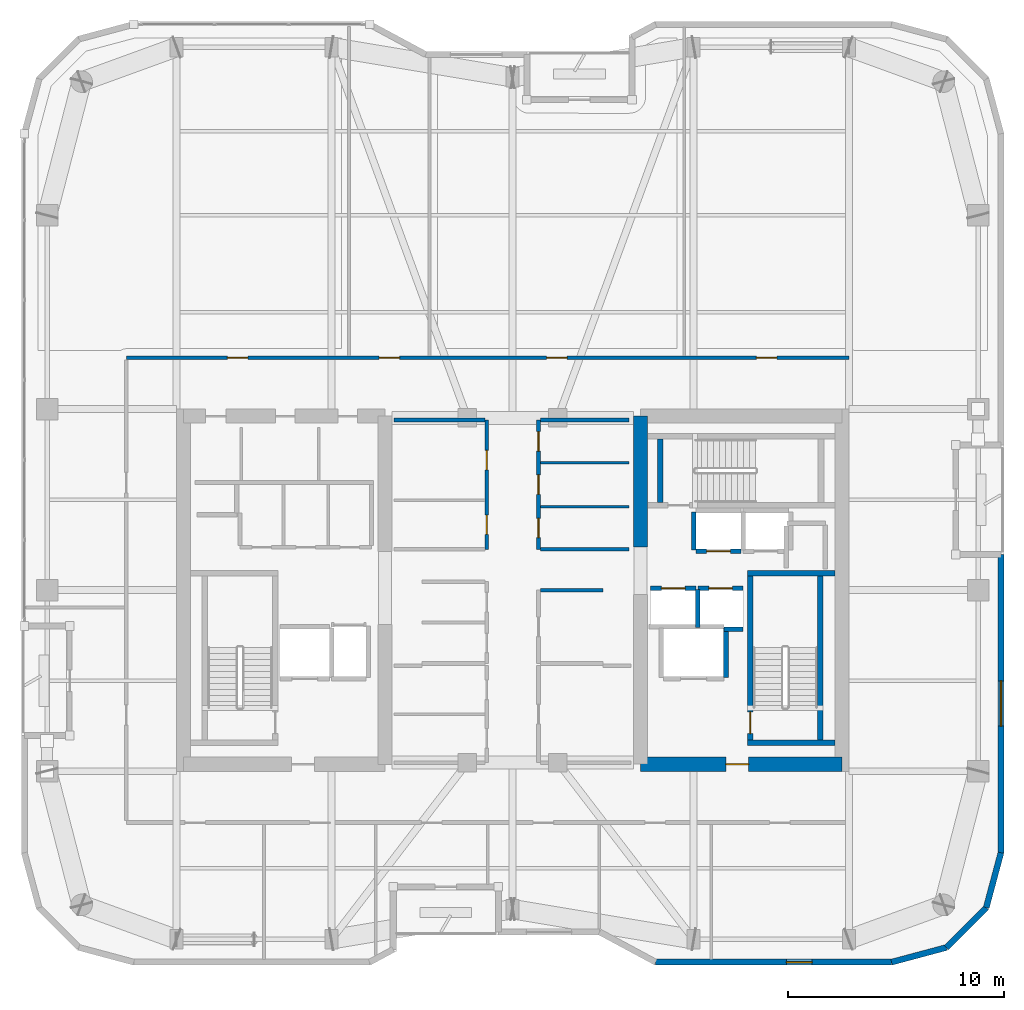
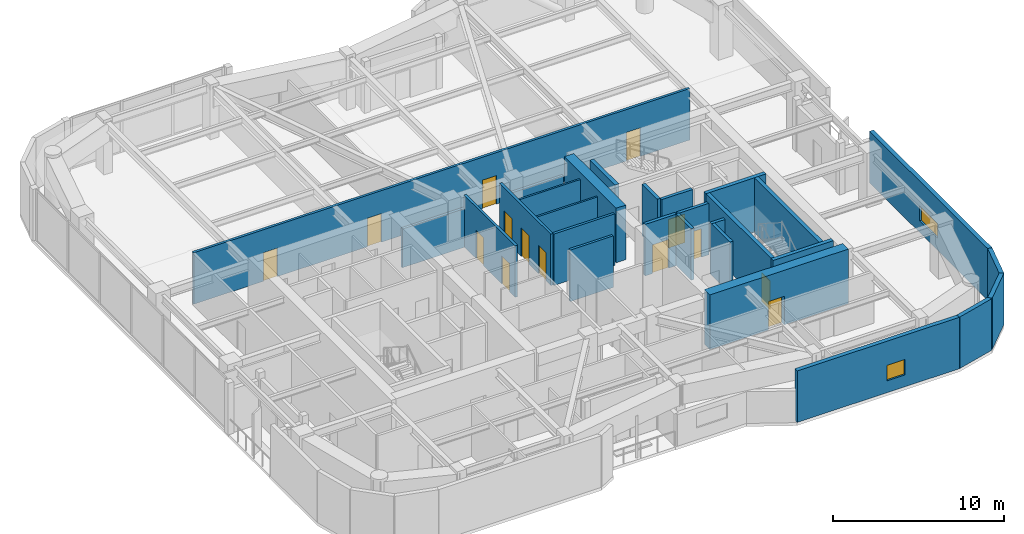
# One storey, part 17 of 21: 28 walls, 14 doors, 2 windows, 16 openings.
"""IFC4 building model written with IfcOpenShell, lengths in metres."""

from ifc_helpers import new_model, si_unit, direction, frame, frame_2d, origin, place, context, subcontext, project, spatial, rectangle, extrude, material, layer, layer_set, type_object, element, fill, save


model = new_model("IFC4")

# Units and contexts
model_context = context("Model", 3, precision=1e-05, world=origin(), true_north=direction((0.0, 1.0)))
body_context = subcontext(model_context, "Body", "Model", "MODEL_VIEW")
ifc_project = project(units=[si_unit("LENGTHUNIT", "METRE"), si_unit("AREAUNIT", "SQUARE_METRE"), si_unit("VOLUMEUNIT", "CUBIC_METRE"), si_unit("PLANEANGLEUNIT", "RADIAN"), si_unit("MASSUNIT", "GRAM", prefix="KILO")], contexts=[model_context])

# Site, building, storey
site_placement = place(None, origin())
site = spatial("IfcSite", under=ifc_project, at=site_placement, CompositionType="ELEMENT")
building_placement = place(site_placement, origin())
building = spatial("IfcBuilding", under=site, at=building_placement, Name="Kiyonajd Concourse Tower", CompositionType="ELEMENT")
storey_placement = place(building_placement, frame((0.0, 0.0, 247.199951171875)))
storey = spatial("IfcBuildingStorey", under=building, at=storey_placement, Name="L62", CompositionType="ELEMENT", Elevation=247.199951171875)

# Wall
ifc_material_1 = material(Name="Concrete C60/75", Category="concrete")
ifc_layer_1 = layer(ifc_material_1, 0.64990234375)
ifc_layer_set_1 = layer_set([ifc_layer_1], Name="Concrete C60/75")
wall_type_1 = type_object("IfcWallType", Name="WL-CORE-650", PredefinedType="SHEAR", material=ifc_layer_set_1)
wall_1_placement = place(storey_placement, frame((53.925048828125, 38.0, 0.0), z_axis=(0.0, 0.0, 1.0), x_axis=(0.0, 1.0, 0.0)))
element("IfcWall", 1, at=wall_1_placement, inside=storey, type_object=wall_type_1, Name="L62 East Core Inner North Shear Wall", PredefinedType="SHEAR", context=body_context, shape_type="SweptSolid", body=[
    extrude(rectangle(XDim=6.074951171875, YDim=0.64990234375, at=frame_2d((3.03759765625, 0.0))), origin(), (0.0, 0.0, 1.0), 3.900146484375),
])

# Wall, opening, door
wall_2_placement = place(storey_placement, frame((53.925048828125, 27.925048828125, 0.0), z_axis=(0.0, 0.0, 1.0), x_axis=(1.0, 0.0, 0.0)))
wall_2 = element("IfcWall", 2, at=wall_2_placement, inside=storey, type_object=wall_type_1, Name="L62 East Core South Shear Wall", PredefinedType="SHEAR", context=body_context, shape_type="SweptSolid", body=[
    extrude(rectangle(XDim=9.349853515625, YDim=0.64990234375, at=frame_2d((4.6748046875, 0.0))), origin(), (0.0, 0.0, 1.0), 3.900146484375),
])
opening_1_placement = place(wall_2_placement, frame((3.97509765625, 0.0, 0.0)))
opening_1 = element("IfcOpeningElement", 3, at=opening_1_placement, cuts=wall_2, Name="Opening DF5", PredefinedType="OPENING", context=body_context, shape_type="SweptSolid", body=[
    extrude(rectangle(XDim=1.050048828125, YDim=2.0400390625, at=frame_2d((0.52490234375, 1.02001953125))), frame((0.0, 0.3349609375, 0.0), z_axis=(0.0, -1.0, 0.0), x_axis=(1.0, 0.0, 0.0)), (0.0, 0.0, 1.0), 0.669921875),
])
ifc_material_2 = material(Name="Brushed Stainless Steel Cab Assembly", Category="steel")
door_type_1 = type_object("IfcDoorType", Name="DR-FD45-1050", OperationType="NOTDEFINED", PredefinedType="DOOR", material=ifc_material_2)
door_1_placement = place(opening_1_placement, origin())
door_1 = element("IfcDoor", 4, at=door_1_placement, inside=storey, type_object=door_type_1, Name="L62 Firefighting Lift Lobby E Smoke Door", OperationType="SINGLE_SWING_RIGHT", OverallHeight=2.0400390625, OverallWidth=1.050048828125, PredefinedType="DOOR", context=body_context, shape_type="SweptSolid", body=[
    extrude(rectangle(XDim=1.050048828125, YDim=2.0400390625, at=frame_2d((0.52490234375, 1.02001953125))), frame((0.0, 0.02490234375, 0.0), z_axis=(0.0, -1.0, 0.0), x_axis=(1.0, 0.0, 0.0)), (0.0, 0.0, 1.0), 0.050048828125),
])
fill(opening_1, door_1)

# Wall, opening, window
ifc_material_3 = material(Name="Precast concrete C50/60", Category="concrete")
ifc_layer_2 = layer(ifc_material_3, 0.280029296875)
ifc_layer_set_2 = layer_set([ifc_layer_2], Name="Precast concrete C50/60")
wall_type_2 = type_object("IfcWallType", Name="WL-EXT-280", PredefinedType="SOLIDWALL", material=ifc_layer_set_2)
wall_3_placement = place(storey_placement, frame((70.659912109375, 37.659912109375, 0.0), z_axis=(0.0, 0.0, 1.0), x_axis=(0.0, -1.0, 0.0)))
wall_3 = element("IfcWall", 5, at=wall_3_placement, inside=storey, type_object=wall_type_2, Name="L62 Exterior Concrete Frame Wall 24", PredefinedType="SOLIDWALL", context=body_context, shape_type="SweptSolid", body=[
    extrude(rectangle(XDim=13.841552734375, YDim=0.280029296875, at=frame_2d((6.9208984375, 0.0))), origin(), (0.0, 0.0, 1.0), 3.679931640625),
])
opening_2_placement = place(wall_3_placement, frame((5.87109375, 0.0, 0.85009765625)))
opening_2 = element("IfcOpeningElement", 6, at=opening_2_placement, cuts=wall_3, Name="Opening WN5", PredefinedType="OPENING", context=body_context, shape_type="SweptSolid", body=[
    extrude(rectangle(XDim=2.10009765625, YDim=1.050048828125, at=frame_2d((1.050048828125, 0.52490234375))), frame((0.0, 0.14990234375, 0.0), z_axis=(0.0, -1.0, 0.0), x_axis=(1.0, 0.0, 0.0)), (0.0, 0.0, 1.0), 0.300048828125),
])
ifc_material_4 = material(Name="Double Low-E Insulated Glass", Category="glass")
window_type_1 = type_object("IfcWindowType", Name="WN-VIS-2100x1050", PartitioningType="SINGLE_PANEL", PredefinedType="WINDOW", material=ifc_material_4)
window_1_placement = place(opening_2_placement, origin())
window_1 = element("IfcWindow", 7, at=window_1_placement, inside=storey, type_object=window_type_1, Name="L62 Modular Facade Vision Window 24", OverallHeight=1.050048828125, OverallWidth=2.10009765625, PartitioningType="SINGLE_PANEL", PredefinedType="WINDOW", context=body_context, shape_type="SweptSolid", body=[
    extrude(rectangle(XDim=2.10009765625, YDim=1.050048828125, at=frame_2d((1.050048828125, 0.52490234375))), frame((0.0, 0.030029296875, 0.0), z_axis=(0.0, -1.0, 0.0), x_axis=(1.0, 0.0, 0.0)), (0.0, 0.0, 1.0), 0.06005859375),
])
fill(opening_2, window_1)

# Walls
wall_4_placement = place(storey_placement, frame((70.659912109375, 23.818359375, 0.0), z_axis=(0.0, 0.0, 1.0), x_axis=(-0.2588904131, -0.965906700466, 0.0)))
element("IfcWall", 8, at=wall_4_placement, inside=storey, type_object=wall_type_2, Name="L62 Exterior Concrete Frame Wall 25", PredefinedType="SOLIDWALL", context=body_context, shape_type="SweptSolid", body=[
    extrude(rectangle(XDim=2.6357421875, YDim=0.280029296875, at=frame_2d((1.31787109375, 0.0))), origin(), (0.0, 0.0, 1.0), 3.679931640625),
])
wall_5_placement = place(storey_placement, frame((69.9775390625, 21.2724609375, 0.0), z_axis=(0.0, 0.0, 1.0), x_axis=(-0.707153437963, -0.707060121331, 0.0)))
element("IfcWall", 9, at=wall_5_placement, inside=storey, type_object=wall_type_2, Name="L62 Exterior Concrete Frame Wall 26", PredefinedType="SOLIDWALL", context=body_context, shape_type="SweptSolid", body=[
    extrude(rectangle(XDim=2.6162109375, YDim=0.280029296875, at=frame_2d((1.30810546875, 0.0))), origin(), (0.0, 0.0, 1.0), 3.679931640625),
])
wall_6_placement = place(storey_placement, frame((68.12744140625, 19.422607421875, 0.0), z_axis=(0.0, 0.0, 1.0), x_axis=(-0.965883534663, -0.258976828051, 0.0)))
element("IfcWall", 10, at=wall_6_placement, inside=storey, type_object=wall_type_2, Name="L62 Exterior Concrete Frame Wall 27", PredefinedType="SOLIDWALL", context=body_context, shape_type="SweptSolid", body=[
    extrude(rectangle(XDim=2.6357421875, YDim=0.280029296875, at=frame_2d((1.31787109375, 0.0))), origin(), (0.0, 0.0, 1.0), 3.679931640625),
])

# Wall, opening, window
wall_7_placement = place(storey_placement, frame((65.58154296875, 18.739990234375, 0.0), z_axis=(0.0, 0.0, 1.0), x_axis=(-1.0, 0.0, 0.0)))
wall_7 = element("IfcWall", 11, at=wall_7_placement, inside=storey, type_object=wall_type_2, Name="L62 Exterior Concrete Frame Wall 28", PredefinedType="SOLIDWALL", context=body_context, shape_type="SweptSolid", body=[
    extrude(rectangle(XDim=10.9462890625, YDim=0.280029296875, at=frame_2d((5.47314453125, 0.0))), origin(), (0.0, 0.0, 1.0), 3.679931640625),
])
opening_3_placement = place(wall_7_placement, frame((3.680908203125, 0.0, 0.85009765625)))
opening_3 = element("IfcOpeningElement", 12, at=opening_3_placement, cuts=wall_7, Name="Opening WN3", PredefinedType="OPENING", context=body_context, shape_type="SweptSolid", body=[
    extrude(rectangle(XDim=1.199951171875, YDim=1.10009765625, at=frame_2d((0.60009765625, 0.550048828125))), frame((0.0, 0.14990234375, 0.0), z_axis=(0.0, -1.0, 0.0), x_axis=(1.0, 0.0, 0.0)), (0.0, 0.0, 1.0), 0.300048828125),
])
window_type_2 = type_object("IfcWindowType", Name="WN-VIS-1200x1100", PartitioningType="SINGLE_PANEL", PredefinedType="WINDOW", material=ifc_material_4)
window_2_placement = place(opening_3_placement, origin())
window_2 = element("IfcWindow", 13, at=window_2_placement, inside=storey, type_object=window_type_2, Name="L62 Modular Facade Vision Window 28", OverallHeight=1.10009765625, OverallWidth=1.199951171875, PartitioningType="SINGLE_PANEL", PredefinedType="WINDOW", context=body_context, shape_type="SweptSolid", body=[
    extrude(rectangle(XDim=1.199951171875, YDim=1.10009765625, at=frame_2d((0.60009765625, 0.550048828125))), frame((0.0, 0.030029296875, 0.0), z_axis=(0.0, -1.0, 0.0), x_axis=(1.0, 0.0, 0.0)), (0.0, 0.0, 1.0), 0.06005859375),
])
fill(opening_3, window_2)

# Walls
ifc_material_5 = material(Name="Gypsum Board on Cold-Formed Steel Stud", Category="steel")
ifc_layer_3 = layer(ifc_material_5, 0.125)
ifc_layer_set_3 = layer_set([ifc_layer_3], Name="Gypsum Board on Cold-Formed Steel Stud")
wall_type_3 = type_object("IfcWallType", Name="WL-PART-125", PredefinedType="PARTITIONING", material=ifc_layer_set_3)
for number, where, z_axis, x_axis, name in (
    (14, (49.287109375, 39.8798828125, 0.0), (0.0, 0.0, 1.0), (1.0, 0.0, 0.0), "L62 Interior Partition Wall"),
    (15, (49.287109375, 41.919921875, 0.0), (0.0, 0.0, 1.0), (1.0, 0.0, 0.0), "L62 Interior Partition Wall"),
):
    element("IfcWall", number, at=place(storey_placement, frame(where, z_axis=z_axis, x_axis=x_axis)), inside=storey, type_object=wall_type_3, Name=name, PredefinedType="PARTITIONING", context=body_context, shape_type="SweptSolid", body=[
        extrude(rectangle(XDim=4.11279296875, YDim=0.125, at=frame_2d((2.056396484375, 0.0))), origin(), (0.0, 0.0, 1.0), 3.679931640625),
    ])
ifc_layer_4 = layer(ifc_material_5, 0.2099609375)
ifc_layer_set_4 = layer_set([ifc_layer_4], Name="Gypsum Board on Cold-Formed Steel Stud")
wall_type_4 = type_object("IfcWallType", Name="WL-SHAFT-210", PredefinedType="PARTITIONING", material=ifc_layer_set_4)
wall_8_placement = place(storey_placement, frame((57.89990234375, 31.9599609375, 0.0), z_axis=(0.0, 0.0, 1.0), x_axis=(0.0, 1.0, 0.0)))
element("IfcWall", 16, at=wall_8_placement, inside=storey, type_object=wall_type_4, Name="L62 Shaft Enclosure Wall", PredefinedType="PARTITIONING", context=body_context, shape_type="SweptSolid", body=[
    extrude(rectangle(XDim=2.280029296875, YDim=0.2099609375, at=frame_2d((1.14013671875, 0.0))), origin(), (0.0, 0.0, 1.0), 3.679931640625),
])

# Wall, opening, door
wall_9_placement = place(storey_placement, frame((54.39990234375, 36.10009765625, 0.0), z_axis=(0.0, 0.0, 1.0), x_axis=(1.0, 0.0, 0.0)))
wall_9 = element("IfcWall", 17, at=wall_9_placement, inside=storey, type_object=wall_type_4, Name="L62 Shaft Enclosure Wall", PredefinedType="PARTITIONING", context=body_context, shape_type="SweptSolid", body=[
    extrude(rectangle(XDim=2.10009765625, YDim=0.2099609375, at=frame_2d((1.050048828125, 0.0))), origin(), (0.0, 0.0, 1.0), 3.679931640625),
])
opening_4_placement = place(wall_9_placement, frame((0.5, 0.0, 0.0)))
opening_4 = element("IfcOpeningElement", 18, at=opening_4_placement, cuts=wall_9, Name="Opening LD1", PredefinedType="OPENING", context=body_context, shape_type="SweptSolid", body=[
    extrude(rectangle(XDim=1.10009765625, YDim=2.0400390625, at=frame_2d((0.550048828125, 1.02001953125))), frame((0.0, 0.114990234375, 0.0), z_axis=(0.0, -1.0, 0.0), x_axis=(1.0, 0.0, 0.0)), (0.0, 0.0, 1.0), 0.22998046875),
])
door_type_2 = type_object("IfcDoorType", Name="DR-LD-1100", OperationType="DOUBLE_DOOR_SLIDING", PredefinedType="DOOR", material=ifc_material_2)
door_2_placement = place(opening_4_placement, origin())
door_2 = element("IfcDoor", 19, at=door_2_placement, inside=storey, type_object=door_type_2, Name="L62 Lift PL-H1 Sliding Landing Door", OperationType="DOUBLE_DOOR_SLIDING", OverallHeight=2.0400390625, OverallWidth=1.10009765625, PredefinedType="DOOR", context=body_context, shape_type="SweptSolid", body=[
    extrude(rectangle(XDim=1.10009765625, YDim=2.0400390625, at=frame_2d((0.550048828125, 1.02001953125))), frame((0.0, 0.02490234375, 0.0), z_axis=(0.0, -1.0, 0.0), x_axis=(1.0, 0.0, 0.0)), (0.0, 0.0, 1.0), 0.050048828125),
])
fill(opening_4, door_2)

# Wall
wall_10_placement = place(storey_placement, frame((56.60009765625, 34.260009765625, 0.0), z_axis=(0.0, 0.0, 1.0), x_axis=(0.0, 1.0, 0.0)))
element("IfcWall", 20, at=wall_10_placement, inside=storey, type_object=wall_type_4, Name="L62 Shaft Enclosure Wall", PredefinedType="PARTITIONING", context=body_context, shape_type="SweptSolid", body=[
    extrude(rectangle(XDim=1.780029296875, YDim=0.2099609375, at=frame_2d((0.89013671875, 0.0))), origin(), (0.0, 0.0, 1.0), 3.679931640625),
])

# Wall, opening, door
wall_11_placement = place(storey_placement, frame((56.60009765625, 36.10009765625, 0.0), z_axis=(0.0, 0.0, 1.0), x_axis=(1.0, 0.0, 0.0)))
wall_11 = element("IfcWall", 21, at=wall_11_placement, inside=storey, type_object=wall_type_4, Name="L62 Shaft Enclosure Wall", PredefinedType="PARTITIONING", context=body_context, shape_type="SweptSolid", body=[
    extrude(rectangle(XDim=2.099853515625, YDim=0.2099609375, at=frame_2d((1.0498046875, 0.0))), origin(), (0.0, 0.0, 1.0), 3.679931640625),
])
opening_5_placement = place(wall_11_placement, frame((0.5, 0.0, 0.0)))
opening_5 = element("IfcOpeningElement", 22, at=opening_5_placement, cuts=wall_11, Name="Opening LD1", PredefinedType="OPENING", context=body_context, shape_type="SweptSolid", body=[
    extrude(rectangle(XDim=1.10009765625, YDim=2.0400390625, at=frame_2d((0.550048828125, 1.02001953125))), frame((0.0, 0.114990234375, 0.0), z_axis=(0.0, -1.0, 0.0), x_axis=(1.0, 0.0, 0.0)), (0.0, 0.0, 1.0), 0.22998046875),
])
door_3_placement = place(opening_5_placement, origin())
door_3 = element("IfcDoor", 23, at=door_3_placement, inside=storey, type_object=door_type_2, Name="L62 Lift PL-H2 Sliding Landing Door", OperationType="DOUBLE_DOOR_SLIDING", OverallHeight=2.0400390625, OverallWidth=1.10009765625, PredefinedType="DOOR", context=body_context, shape_type="SweptSolid", body=[
    extrude(rectangle(XDim=1.10009765625, YDim=2.0400390625, at=frame_2d((0.550048828125, 1.02001953125))), frame((0.0, 0.02490234375, 0.0), z_axis=(0.0, -1.0, 0.0), x_axis=(1.0, 0.0, 0.0)), (0.0, 0.0, 1.0), 0.050048828125),
])
fill(opening_5, door_3)

# Wall
wall_12_placement = place(storey_placement, frame((57.800048828125, 34.199951171875, 0.0), z_axis=(0.0, 0.0, 1.0), x_axis=(1.0, 0.0, 0.0)))
element("IfcWall", 24, at=wall_12_placement, inside=storey, type_object=wall_type_4, Name="L62 Shaft Enclosure Wall", PredefinedType="PARTITIONING", context=body_context, shape_type="SweptSolid", body=[
    extrude(rectangle(XDim=0.89990234375, YDim=0.2099609375, at=frame_2d((0.449951171875, 0.0))), origin(), (0.0, 0.0, 1.0), 3.679931640625),
])

# Wall, opening, door
wall_13_placement = place(storey_placement, frame((56.5, 37.800048828125, 0.0), z_axis=(0.0, 0.0, 1.0), x_axis=(1.0, 0.0, 0.0)))
wall_13 = element("IfcWall", 25, at=wall_13_placement, inside=storey, type_object=wall_type_4, Name="L62 Shaft Enclosure Wall", PredefinedType="PARTITIONING", context=body_context, shape_type="SweptSolid", body=[
    extrude(rectangle(XDim=2.10009765625, YDim=0.2099609375, at=frame_2d((1.050048828125, 0.0))), origin(), (0.0, 0.0, 1.0), 3.679931640625),
])
opening_6_placement = place(wall_13_placement, frame((0.5, 0.0, 0.0)))
opening_6 = element("IfcOpeningElement", 26, at=opening_6_placement, cuts=wall_13, Name="Opening LD1", PredefinedType="OPENING", context=body_context, shape_type="SweptSolid", body=[
    extrude(rectangle(XDim=1.10009765625, YDim=2.0400390625, at=frame_2d((0.550048828125, 1.02001953125))), frame((0.0, 0.114990234375, 0.0), z_axis=(0.0, -1.0, 0.0), x_axis=(1.0, 0.0, 0.0)), (0.0, 0.0, 1.0), 0.22998046875),
])
door_4_placement = place(opening_6_placement, origin())
door_4 = element("IfcDoor", 27, at=door_4_placement, inside=storey, type_object=door_type_2, Name="L62 Lift PL-H3 Sliding Landing Door", OperationType="DOUBLE_DOOR_SLIDING", OverallHeight=2.0400390625, OverallWidth=1.10009765625, PredefinedType="DOOR", context=body_context, shape_type="SweptSolid", body=[
    extrude(rectangle(XDim=1.10009765625, YDim=2.0400390625, at=frame_2d((0.550048828125, 1.02001953125))), frame((0.0, 0.02490234375, 0.0), z_axis=(0.0, -1.0, 0.0), x_axis=(1.0, 0.0, 0.0)), (0.0, 0.0, 1.0), 0.050048828125),
])
fill(opening_6, door_4)

# Walls
wall_14_placement = place(storey_placement, frame((56.39990234375, 37.860107421875, 0.0), z_axis=(0.0, 0.0, 1.0), x_axis=(0.0, 1.0, 0.0)))
element("IfcWall", 28, at=wall_14_placement, inside=storey, type_object=wall_type_4, Name="L62 Shaft Enclosure Wall", PredefinedType="PARTITIONING", context=body_context, shape_type="SweptSolid", body=[
    extrude(rectangle(XDim=1.77978515625, YDim=0.2099609375, at=frame_2d((0.889892578125, 0.0))), origin(), (0.0, 0.0, 1.0), 3.679931640625),
])
ifc_layer_5 = layer(ifc_material_5, 0.169921875)
ifc_layer_set_5 = layer_set([ifc_layer_5], Name="Gypsum Board on Cold-Formed Steel Stud")
wall_type_5 = type_object("IfcWallType", Name="WL-SMK-170", PredefinedType="PARTITIONING", material=ifc_layer_set_5)
wall_15_placement = place(storey_placement, frame((49.287109375, 36.0, 0.0), z_axis=(0.0, 0.0, 1.0), x_axis=(1.0, 0.0, 0.0)))
element("IfcWall", 29, at=wall_15_placement, inside=storey, type_object=wall_type_5, Name="L62 Interior Partition Wall", PredefinedType="PARTITIONING", context=body_context, shape_type="SweptSolid", body=[
    extrude(rectangle(XDim=2.912841796875, YDim=0.169921875, at=frame_2d((1.45654296875, 0.0))), origin(), (0.0, 0.0, 1.0), 3.679931640625),
])

# Wall, openings, doors
wall_16_placement = place(storey_placement, frame((46.800048828125, 37.89990234375, 0.0), z_axis=(0.0, 0.0, 1.0), x_axis=(0.0, 1.0, 0.0)))
wall_16 = element("IfcWall", 30, at=wall_16_placement, inside=storey, type_object=wall_type_5, Name="L62 Interior Partition Wall", PredefinedType="PARTITIONING", context=body_context, shape_type="SweptSolid", body=[
    extrude(rectangle(XDim=6.0, YDim=0.169921875, at=frame_2d((3.0, 0.0))), origin(), (0.0, 0.0, 1.0), 3.679931640625),
])
opening_7_placement = place(wall_16_placement, frame((0.68994140625, 0.0, 0.0)))
opening_7 = element("IfcOpeningElement", 31, at=opening_7_placement, cuts=wall_16, Name="Opening DI2", PredefinedType="OPENING", context=body_context, shape_type="SweptSolid", body=[
    extrude(rectangle(XDim=0.89990234375, YDim=2.02001953125, at=frame_2d((0.449951171875, 1.010009765625))), frame((0.0, 0.094970703125, 0.0), z_axis=(0.0, -1.0, 0.0), x_axis=(1.0, 0.0, 0.0)), (0.0, 0.0, 1.0), 0.18994140625),
])
opening_8_placement = place(wall_16_placement, frame((3.68994140625, 0.0, 0.0)))
opening_8 = element("IfcOpeningElement", 32, at=opening_8_placement, cuts=wall_16, Name="Opening DI2", PredefinedType="OPENING", context=body_context, shape_type="SweptSolid", body=[
    extrude(rectangle(XDim=0.89990234375, YDim=2.02001953125, at=frame_2d((0.449951171875, 1.010009765625))), frame((0.0, 0.094970703125, 0.0), z_axis=(0.0, -1.0, 0.0), x_axis=(1.0, 0.0, 0.0)), (0.0, 0.0, 1.0), 0.18994140625),
])
ifc_material_6 = material(Name="Natural Oak Acoustic Timber Veneer", Category="wood")
door_type_3 = type_object("IfcDoorType", Name="DR-INT-900", OperationType="NOTDEFINED", PredefinedType="DOOR", material=ifc_material_6)
door_5_placement = place(opening_7_placement, origin())
door_5 = element("IfcDoor", 33, at=door_5_placement, inside=storey, type_object=door_type_3, Name="L62 Interior Door", OperationType="SINGLE_SWING_LEFT", OverallHeight=2.02001953125, OverallWidth=0.89990234375, PredefinedType="DOOR", context=body_context, shape_type="SweptSolid", body=[
    extrude(rectangle(XDim=0.89990234375, YDim=2.02001953125, at=frame_2d((0.449951171875, 1.010009765625))), frame((0.0, 0.02490234375, 0.0), z_axis=(0.0, -1.0, 0.0), x_axis=(1.0, 0.0, 0.0)), (0.0, 0.0, 1.0), 0.050048828125),
])
fill(opening_7, door_5)
door_6_placement = place(opening_8_placement, origin())
door_6 = element("IfcDoor", 34, at=door_6_placement, inside=storey, type_object=door_type_3, Name="L62 Interior Door", OperationType="SINGLE_SWING_RIGHT", OverallHeight=2.02001953125, OverallWidth=0.89990234375, PredefinedType="DOOR", context=body_context, shape_type="SweptSolid", body=[
    extrude(rectangle(XDim=0.89990234375, YDim=2.02001953125, at=frame_2d((0.449951171875, 1.010009765625))), frame((0.0, 0.02490234375, 0.0), z_axis=(0.0, -1.0, 0.0), x_axis=(1.0, 0.0, 0.0)), (0.0, 0.0, 1.0), 0.050048828125),
])
fill(opening_8, door_6)

# Wall
wall_17_placement = place(storey_placement, frame((42.5, 43.89990234375, 0.0), z_axis=(0.0, 0.0, 1.0), x_axis=(1.0, 0.0, 0.0)))
element("IfcWall", 35, at=wall_17_placement, inside=storey, type_object=wall_type_5, Name="L62 Interior Partition Wall", PredefinedType="PARTITIONING", context=body_context, shape_type="SweptSolid", body=[
    extrude(rectangle(XDim=4.212890625, YDim=0.169921875, at=frame_2d((2.1064453125, 0.0))), origin(), (0.0, 0.0, 1.0), 2.76513671875),
])

# Wall, openings, doors
wall_18_placement = place(storey_placement, frame((49.199951171875, 37.89990234375, 0.0), z_axis=(0.0, 0.0, 1.0), x_axis=(0.0, 1.0, 0.0)))
wall_18 = element("IfcWall", 36, at=wall_18_placement, inside=storey, type_object=wall_type_5, Name="L62 Interior Partition Wall", PredefinedType="PARTITIONING", context=body_context, shape_type="SweptSolid", body=[
    extrude(rectangle(XDim=6.0, YDim=0.169921875, at=frame_2d((3.0, 0.0))), origin(), (0.0, 0.0, 1.0), 3.679931640625),
])
opening_9_placement = place(wall_18_placement, frame((0.5400390625, 0.0, 0.0)))
opening_9 = element("IfcOpeningElement", 37, at=opening_9_placement, cuts=wall_18, Name="Opening DI2", PredefinedType="OPENING", context=body_context, shape_type="SweptSolid", body=[
    extrude(rectangle(XDim=0.89990234375, YDim=2.02001953125, at=frame_2d((0.449951171875, 1.010009765625))), frame((0.0, 0.094970703125, 0.0), z_axis=(0.0, -1.0, 0.0), x_axis=(1.0, 0.0, 0.0)), (0.0, 0.0, 1.0), 0.18994140625),
])
opening_10_placement = place(wall_18_placement, frame((2.550048828125, 0.0, 0.0)))
opening_10 = element("IfcOpeningElement", 38, at=opening_10_placement, cuts=wall_18, Name="Opening DI2", PredefinedType="OPENING", context=body_context, shape_type="SweptSolid", body=[
    extrude(rectangle(XDim=0.89990234375, YDim=2.02001953125, at=frame_2d((0.449951171875, 1.010009765625))), frame((0.0, 0.094970703125, 0.0), z_axis=(0.0, -1.0, 0.0), x_axis=(1.0, 0.0, 0.0)), (0.0, 0.0, 1.0), 0.18994140625),
])
opening_11_placement = place(wall_18_placement, frame((4.56005859375, 0.0, 0.0)))
opening_11 = element("IfcOpeningElement", 39, at=opening_11_placement, cuts=wall_18, Name="Opening DI2", PredefinedType="OPENING", context=body_context, shape_type="SweptSolid", body=[
    extrude(rectangle(XDim=0.89990234375, YDim=2.02001953125, at=frame_2d((0.449951171875, 1.010009765625))), frame((0.0, 0.094970703125, 0.0), z_axis=(0.0, -1.0, 0.0), x_axis=(1.0, 0.0, 0.0)), (0.0, 0.0, 1.0), 0.18994140625),
])
door_7_placement = place(opening_9_placement, origin())
door_7 = element("IfcDoor", 40, at=door_7_placement, inside=storey, type_object=door_type_3, Name="L62 Interior Door", OperationType="SINGLE_SWING_LEFT", OverallHeight=2.02001953125, OverallWidth=0.89990234375, PredefinedType="DOOR", context=body_context, shape_type="SweptSolid", body=[
    extrude(rectangle(XDim=0.89990234375, YDim=2.02001953125, at=frame_2d((0.449951171875, 1.010009765625))), frame((0.0, 0.02490234375, 0.0), z_axis=(0.0, -1.0, 0.0), x_axis=(1.0, 0.0, 0.0)), (0.0, 0.0, 1.0), 0.050048828125),
])
fill(opening_9, door_7)
door_8_placement = place(opening_10_placement, origin())
door_8 = element("IfcDoor", 41, at=door_8_placement, inside=storey, type_object=door_type_3, Name="L62 Interior Door", OperationType="SINGLE_SWING_RIGHT", OverallHeight=2.02001953125, OverallWidth=0.89990234375, PredefinedType="DOOR", context=body_context, shape_type="SweptSolid", body=[
    extrude(rectangle(XDim=0.89990234375, YDim=2.02001953125, at=frame_2d((0.449951171875, 1.010009765625))), frame((0.0, 0.02490234375, 0.0), z_axis=(0.0, -1.0, 0.0), x_axis=(1.0, 0.0, 0.0)), (0.0, 0.0, 1.0), 0.050048828125),
])
fill(opening_10, door_8)
door_9_placement = place(opening_11_placement, origin())
door_9 = element("IfcDoor", 42, at=door_9_placement, inside=storey, type_object=door_type_3, Name="L62 Interior Door", OperationType="SINGLE_SWING_LEFT", OverallHeight=2.02001953125, OverallWidth=0.89990234375, PredefinedType="DOOR", context=body_context, shape_type="SweptSolid", body=[
    extrude(rectangle(XDim=0.89990234375, YDim=2.02001953125, at=frame_2d((0.449951171875, 1.010009765625))), frame((0.0, 0.02490234375, 0.0), z_axis=(0.0, -1.0, 0.0), x_axis=(1.0, 0.0, 0.0)), (0.0, 0.0, 1.0), 0.050048828125),
])
fill(opening_11, door_9)

# Walls
wall_19_placement = place(storey_placement, frame((49.287109375, 37.89990234375, 0.0), z_axis=(0.0, 0.0, 1.0), x_axis=(1.0, 0.0, 0.0)))
element("IfcWall", 43, at=wall_19_placement, inside=storey, type_object=wall_type_5, Name="L62 Interior Partition Wall", PredefinedType="PARTITIONING", context=body_context, shape_type="SweptSolid", body=[
    extrude(rectangle(XDim=4.11279296875, YDim=0.169921875, at=frame_2d((2.056396484375, 0.0))), origin(), (0.0, 0.0, 1.0), 3.679931640625),
])
wall_20_placement = place(storey_placement, frame((49.287109375, 43.89990234375, 0.0), z_axis=(0.0, 0.0, 1.0), x_axis=(1.0, 0.0, 0.0)))
element("IfcWall", 44, at=wall_20_placement, inside=storey, type_object=wall_type_5, Name="L62 Interior Partition Wall", PredefinedType="PARTITIONING", context=body_context, shape_type="SweptSolid", body=[
    extrude(rectangle(XDim=4.11279296875, YDim=0.169921875, at=frame_2d((2.056396484375, 0.0))), origin(), (0.0, 0.0, 1.0), 2.76513671875),
])

# Wall, openings, doors
wall_21_placement = place(storey_placement, frame((30.074951171875, 46.780029296875, 0.0), z_axis=(0.0, 0.0, 1.0), x_axis=(1.0, 0.0, 0.0)))
wall_21 = element("IfcWall", 45, at=wall_21_placement, inside=storey, type_object=wall_type_5, Name="L62 Interior Partition Wall", PredefinedType="PARTITIONING", context=body_context, shape_type="SweptSolid", body=[
    extrude(rectangle(XDim=33.525146484375, YDim=0.169921875, at=frame_2d((16.7626953125, 0.0))), origin(), (0.0, 0.0, 1.0), 3.679931640625),
])
opening_12_placement = place(wall_21_placement, frame((4.693115234375, 0.0, 0.0)))
opening_12 = element("IfcOpeningElement", 46, at=opening_12_placement, cuts=wall_21, Name="Opening DI1", PredefinedType="OPENING", context=body_context, shape_type="SweptSolid", body=[
    extrude(rectangle(XDim=0.949951171875, YDim=2.0400390625, at=frame_2d((0.47509765625, 1.02001953125))), frame((0.0, 0.094970703125, 0.0), z_axis=(0.0, -1.0, 0.0), x_axis=(1.0, 0.0, 0.0)), (0.0, 0.0, 1.0), 0.18994140625),
])
opening_13_placement = place(wall_21_placement, frame((11.72509765625, 0.0, 0.0)))
opening_13 = element("IfcOpeningElement", 47, at=opening_13_placement, cuts=wall_21, Name="Opening DI1", PredefinedType="OPENING", context=body_context, shape_type="SweptSolid", body=[
    extrude(rectangle(XDim=0.949951171875, YDim=2.0400390625, at=frame_2d((0.47509765625, 1.02001953125))), frame((0.0, 0.094970703125, 0.0), z_axis=(0.0, -1.0, 0.0), x_axis=(1.0, 0.0, 0.0)), (0.0, 0.0, 1.0), 0.18994140625),
])
opening_14_placement = place(wall_21_placement, frame((19.5048828125, 0.0, 0.0)))
opening_14 = element("IfcOpeningElement", 48, at=opening_14_placement, cuts=wall_21, Name="Opening DI1", PredefinedType="OPENING", context=body_context, shape_type="SweptSolid", body=[
    extrude(rectangle(XDim=0.949951171875, YDim=2.0400390625, at=frame_2d((0.47509765625, 1.02001953125))), frame((0.0, 0.094970703125, 0.0), z_axis=(0.0, -1.0, 0.0), x_axis=(1.0, 0.0, 0.0)), (0.0, 0.0, 1.0), 0.18994140625),
])
opening_15_placement = place(wall_21_placement, frame((29.235107421875, 0.0, 0.0)))
opening_15 = element("IfcOpeningElement", 49, at=opening_15_placement, cuts=wall_21, Name="Opening DI1", PredefinedType="OPENING", context=body_context, shape_type="SweptSolid", body=[
    extrude(rectangle(XDim=0.949951171875, YDim=2.0400390625, at=frame_2d((0.47509765625, 1.02001953125))), frame((0.0, 0.094970703125, 0.0), z_axis=(0.0, -1.0, 0.0), x_axis=(1.0, 0.0, 0.0)), (0.0, 0.0, 1.0), 0.18994140625),
])
door_type_4 = type_object("IfcDoorType", Name="DR-INT-950", OperationType="NOTDEFINED", PredefinedType="DOOR", material=ifc_material_6)
door_10_placement = place(opening_12_placement, origin())
door_10 = element("IfcDoor", 50, at=door_10_placement, inside=storey, type_object=door_type_4, Name="L62 Interior Door", OperationType="SINGLE_SWING_RIGHT", OverallHeight=2.0400390625, OverallWidth=0.949951171875, PredefinedType="DOOR", context=body_context, shape_type="SweptSolid", body=[
    extrude(rectangle(XDim=0.949951171875, YDim=2.0400390625, at=frame_2d((0.47509765625, 1.02001953125))), frame((0.0, 0.02490234375, 0.0), z_axis=(0.0, -1.0, 0.0), x_axis=(1.0, 0.0, 0.0)), (0.0, 0.0, 1.0), 0.050048828125),
])
fill(opening_12, door_10)
door_11_placement = place(opening_13_placement, origin())
door_11 = element("IfcDoor", 51, at=door_11_placement, inside=storey, type_object=door_type_4, Name="L62 Interior Door", OperationType="SINGLE_SWING_LEFT", OverallHeight=2.0400390625, OverallWidth=0.949951171875, PredefinedType="DOOR", context=body_context, shape_type="SweptSolid", body=[
    extrude(rectangle(XDim=0.949951171875, YDim=2.0400390625, at=frame_2d((0.47509765625, 1.02001953125))), frame((0.0, 0.02490234375, 0.0), z_axis=(0.0, -1.0, 0.0), x_axis=(1.0, 0.0, 0.0)), (0.0, 0.0, 1.0), 0.050048828125),
])
fill(opening_13, door_11)
door_12_placement = place(opening_14_placement, origin())
door_12 = element("IfcDoor", 52, at=door_12_placement, inside=storey, type_object=door_type_4, Name="L62 Interior Door", OperationType="SINGLE_SWING_RIGHT", OverallHeight=2.0400390625, OverallWidth=0.949951171875, PredefinedType="DOOR", context=body_context, shape_type="SweptSolid", body=[
    extrude(rectangle(XDim=0.949951171875, YDim=2.0400390625, at=frame_2d((0.47509765625, 1.02001953125))), frame((0.0, 0.02490234375, 0.0), z_axis=(0.0, -1.0, 0.0), x_axis=(1.0, 0.0, 0.0)), (0.0, 0.0, 1.0), 0.050048828125),
])
fill(opening_14, door_12)
door_13_placement = place(opening_15_placement, origin())
door_13 = element("IfcDoor", 53, at=door_13_placement, inside=storey, type_object=door_type_4, Name="L62 Interior Door", OperationType="SINGLE_SWING_LEFT", OverallHeight=2.0400390625, OverallWidth=0.949951171875, PredefinedType="DOOR", context=body_context, shape_type="SweptSolid", body=[
    extrude(rectangle(XDim=0.949951171875, YDim=2.0400390625, at=frame_2d((0.47509765625, 1.02001953125))), frame((0.0, 0.02490234375, 0.0), z_axis=(0.0, -1.0, 0.0), x_axis=(1.0, 0.0, 0.0)), (0.0, 0.0, 1.0), 0.050048828125),
])
fill(opening_15, door_13)

# Walls
ifc_material_7 = material(Name="Concrete C50/60", Category="concrete")
ifc_layer_6 = layer(ifc_material_7, 0.260009765625)
ifc_layer_set_6 = layer_set([ifc_layer_6], Name="Concrete C50/60")
wall_type_6 = type_object("IfcWallType", Name="WL-STAIR-260", PredefinedType="SHEAR", material=ifc_layer_set_6)
for number, where, z_axis, x_axis, name in (
    (54, (58.889892578125, 28.919921875, 0.0), (0.0, 0.0, 1.0), (1.0, 0.0, 0.0), "L62 Stair ST2 Structural South Wall"),
    (55, (58.889892578125, 36.780029296875, 0.0), (0.0, 0.0, 1.0), (1.0, 0.0, 0.0), "L62 Stair ST2 Structural North Wall"),
):
    element("IfcWall", number, at=place(storey_placement, frame(where, z_axis=z_axis, x_axis=x_axis)), inside=storey, type_object=wall_type_6, Name=name, PredefinedType="SHEAR", context=body_context, shape_type="SweptSolid", body=[
        extrude(rectangle(XDim=4.06005859375, YDim=0.260009765625, at=frame_2d((2.030029296875, 0.0))), origin(), (0.0, 0.0, 1.0), 3.900146484375),
    ])

# Wall, opening, door
wall_22_placement = place(storey_placement, frame((59.02001953125, 29.050048828125, 0.0), z_axis=(0.0, 0.0, 1.0), x_axis=(0.0, 1.0, 0.0)))
wall_22 = element("IfcWall", 56, at=wall_22_placement, inside=storey, type_object=wall_type_6, Name="L62 Stair ST2 Structural West Wall", PredefinedType="SHEAR", context=body_context, shape_type="SweptSolid", body=[
    extrude(rectangle(XDim=7.599853515625, YDim=0.260009765625, at=frame_2d((3.7998046875, 0.0))), origin(), (0.0, 0.0, 1.0), 3.900146484375),
])
opening_16_placement = place(wall_22_placement, frame((0.300048828125, 0.0, 0.0)))
opening_16 = element("IfcOpeningElement", 57, at=opening_16_placement, cuts=wall_22, Name="Opening DF1", PredefinedType="OPENING", context=body_context, shape_type="SweptSolid", body=[
    extrude(rectangle(XDim=1.0, YDim=2.0400390625, at=frame_2d((0.5, 1.02001953125))), frame((0.0, 0.139892578125, 0.0), z_axis=(0.0, -1.0, 0.0), x_axis=(1.0, 0.0, 0.0)), (0.0, 0.0, 1.0), 0.280029296875),
])
door_type_5 = type_object("IfcDoorType", Name="DR-FD90-1000", OperationType="NOTDEFINED", PredefinedType="DOOR", material=ifc_material_2)
door_14_placement = place(opening_16_placement, origin())
door_14 = element("IfcDoor", 58, at=door_14_placement, inside=storey, type_object=door_type_5, Name="L62 Stair ST2 FSAE Door", OperationType="SINGLE_SWING_RIGHT", OverallHeight=2.0400390625, OverallWidth=1.0, PredefinedType="DOOR", context=body_context, shape_type="SweptSolid", body=[
    extrude(rectangle(XDim=1.0, YDim=2.0400390625, at=frame_2d((0.5, 1.02001953125))), frame((0.0, 0.02490234375, 0.0), z_axis=(0.0, -1.0, 0.0), x_axis=(1.0, 0.0, 0.0)), (0.0, 0.0, 1.0), 0.050048828125),
])
fill(opening_16, door_14)

# Walls
wall_23_placement = place(storey_placement, frame((62.280029296875, 29.050048828125, 0.0), z_axis=(0.0, 0.0, 1.0), x_axis=(0.0, 1.0, 0.0)))
element("IfcWall", 59, at=wall_23_placement, inside=storey, type_object=wall_type_6, Name="L62 Stair ST2 Structural East Wall", PredefinedType="SHEAR", context=body_context, shape_type="SweptSolid", body=[
    extrude(rectangle(XDim=7.599853515625, YDim=0.260009765625, at=frame_2d((3.7998046875, 0.0))), origin(), (0.0, 0.0, 1.0), 3.900146484375),
])
wall_24_placement = place(storey_placement, frame((54.85009765625, 40.080078125, 0.0), z_axis=(0.0, 0.0, 1.0), x_axis=(0.0, 1.0, 0.0)))
element("IfcWall", 60, at=wall_24_placement, inside=storey, type_object=wall_type_6, Name="L62 Stair ST3 Structural West Wall", PredefinedType="SHEAR", context=body_context, shape_type="SweptSolid", body=[
    extrude(rectangle(XDim=2.93994140625, YDim=0.260009765625, at=frame_2d((1.469970703125, 0.0))), origin(), (0.0, 0.0, 1.0), 3.900146484375),
])

save(model, "model.ifc")
